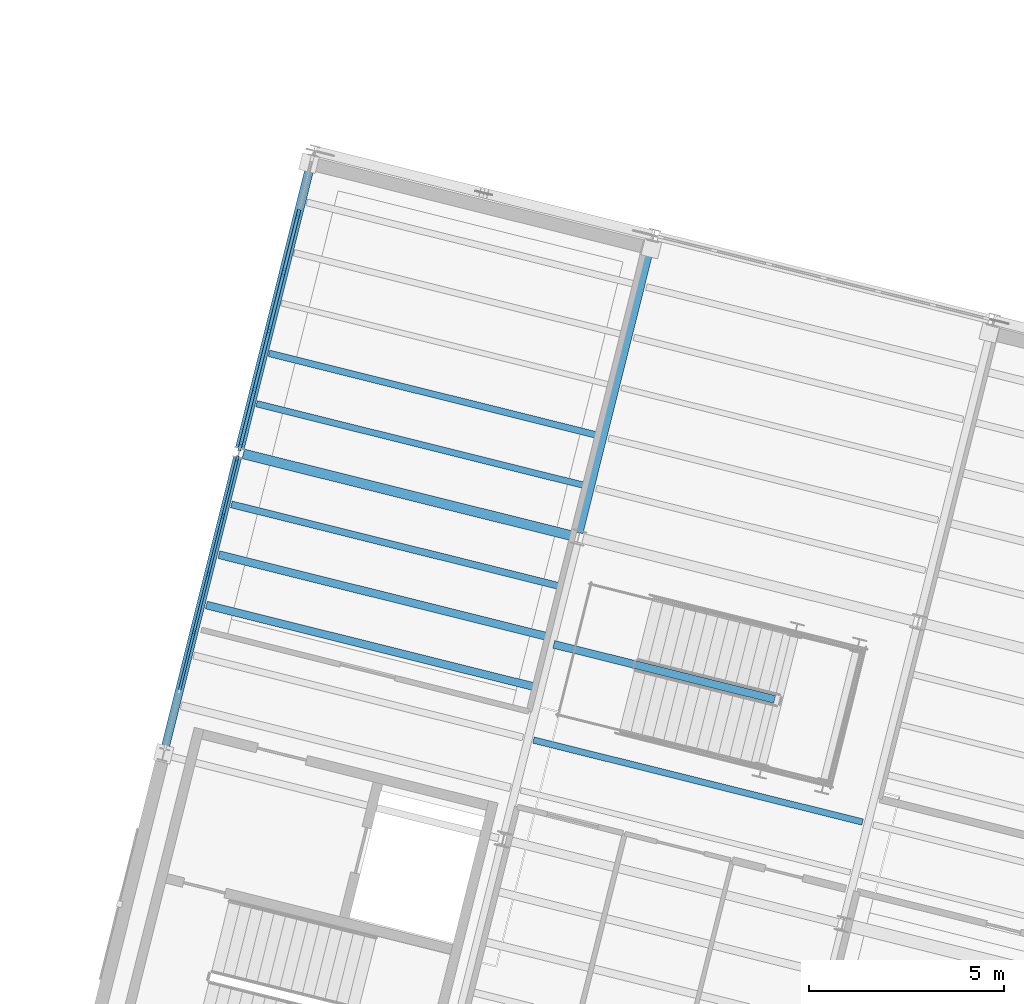
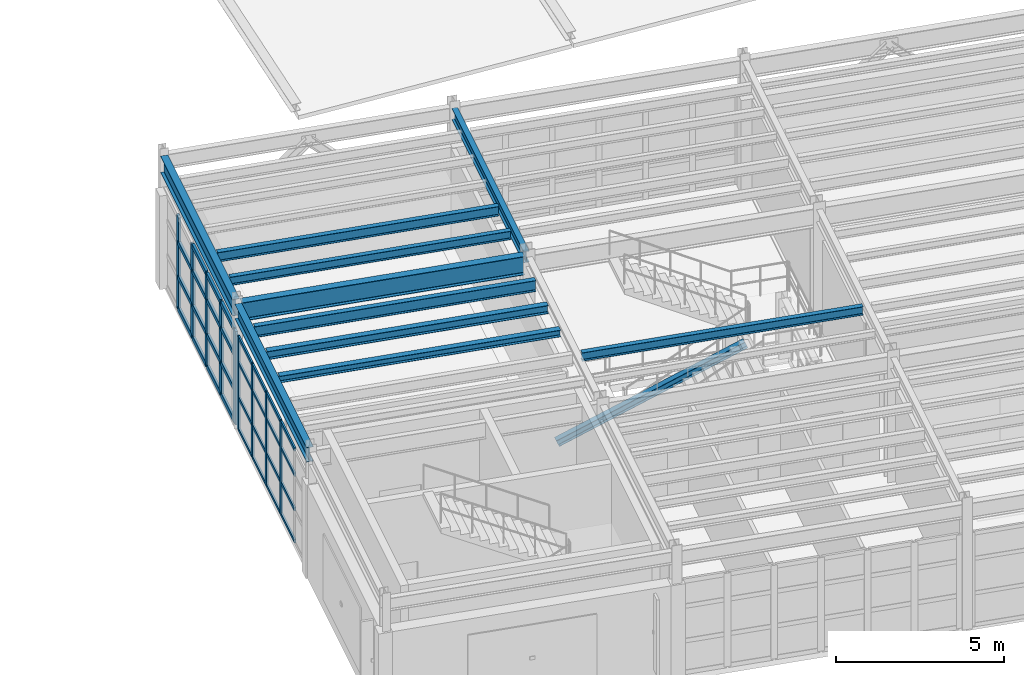
# One storey, part 13 of 59: 41 members, 10 beams, 2 elements without a shape of their own.
"""IFC4 building model written with IfcOpenShell, lengths in metres."""

from ifc_helpers import new_model, si_unit, direction, frame, origin, origin_2d, place, context, subcontext, project, spatial, rectangle, i_section, extrude, material, layer, layer_set, material_profile, profile_set, type_object, element, aggregate, save


model = new_model("IFC4")

# Units and contexts
model_context = context("Model", 3, precision=1e-05, world=origin(), true_north=direction((0.0, 1.0)))
body_context = subcontext(model_context, "Body", "Model", "MODEL_VIEW")
ifc_project = project(units=[si_unit("LENGTHUNIT", "METRE"), si_unit("AREAUNIT", "SQUARE_METRE"), si_unit("VOLUMEUNIT", "CUBIC_METRE"), si_unit("PLANEANGLEUNIT", "RADIAN"), si_unit("MASSUNIT", "GRAM", prefix="KILO")], contexts=[model_context])

# Site, building, storey
site_placement = place(None, origin())
site = spatial("IfcSite", under=ifc_project, at=site_placement, CompositionType="ELEMENT")
building_placement = place(site_placement, origin())
building = spatial("IfcBuilding", under=site, at=building_placement, Name="Vireo Bluff Cable Station", CompositionType="ELEMENT")
storey_placement = place(building_placement, frame((0.0, 0.0, 14.39990234375)))
storey = spatial("IfcBuildingStorey", under=building, at=storey_placement, Name="L03", CompositionType="ELEMENT", Elevation=14.39990234375)

# Beam
ifc_material_1 = material(Name="Steel ASTM A992 Gr. 50", Category="steel")
ifc_material_profile_1 = material_profile(ifc_material_1, i_section(OverallWidth=0.178955078125, OverallDepth=0.408935546875, WebThickness=0.0087890625, FlangeThickness=0.014404296875, FilletRadius=0.010009765625, at=origin_2d()), Name="W16X45")
ifc_profile_set_1 = profile_set([ifc_material_profile_1], Name="Steel ASTM A992 Gr. 50")
beam_type_1 = type_object("IfcBeamType", Name="BM-W16X45", PredefinedType="BEAM", material=ifc_profile_set_1)
beam_1_placement = place(storey_placement, frame((66.63232421875, 51.4638671875, 4.335693359375), z_axis=(0.241935966891, 0.970292217801, 0.0), x_axis=(-0.970292217801, 0.241935966891, 0.0)))
element("IfcBeam", 1, at=beam_1_placement, inside=storey, type_object=beam_type_1, Name="V1 L03 beam 289", PredefinedType="BEAM", context=body_context, shape_type="SweptSolid", body=[
    extrude(i_section(OverallWidth=0.178955078125, OverallDepth=0.408935546875, WebThickness=0.0087890625, FlangeThickness=0.014404296875, FilletRadius=0.010009765625, at=origin_2d()), origin(), (0.0, 0.0, 1.0), 7.760009765625),
])

# Curtain wall, members
ifc_material_2 = material(Name="Anodized Aluminium 6063-T6", Category="aluminium")
ifc_layer_1 = layer(ifc_material_2, 0.179931640625, Name="Anodized Aluminium 6063-T6")
ifc_layer_set_1 = layer_set([ifc_layer_1], Name="Anodized Aluminium 6063-T6")
curtain_wall_type_1 = type_object("IfcCurtainWallType", Name="CW-UNIT-1500", PredefinedType="USERDEFINED", material=ifc_layer_set_1)
curtain_wall_1_placement = place(storey_placement, origin())
curtain_wall_1 = element("IfcCurtainWall", 2, at=curtain_wall_1_placement, inside=storey, type_object=curtain_wall_type_1, Name="V1 L03 west curtain wall CW-022", ObjectType="UNITISED CURTAIN WALL", PredefinedType="USERDEFINED")
ifc_material_profile_2 = material_profile(ifc_material_2, rectangle(XDim=0.06005859375, YDim=0.159912109375, at=origin_2d()), Name="ALU-M-60X160")
ifc_profile_set_2 = profile_set([ifc_material_profile_2], Name="Anodized Aluminium 6063-T6")
member_type_1 = type_object("IfcMemberType", Name="CWM-03", PredefinedType="MULLION", material=ifc_profile_set_2)
member_1_placement = place(storey_placement, frame((56.718994140625, 48.905517578125, 0.0), z_axis=(0.0, 0.0, 1.0), x_axis=(-0.970295715648, 0.241921938225, 0.0)))
member_1 = element("IfcMember", 3, at=member_1_placement, type_object=member_type_1, Name="CW-022 mullion 3", PredefinedType="MULLION", context=body_context, shape_type="SweptSolid", body=[
    extrude(rectangle(XDim=0.06005859375, YDim=0.159912109375, at=origin_2d()), origin(), (0.0, 0.0, 1.0), 3.400146484375),
])
member_2_placement = place(storey_placement, frame((57.092041015625, 50.40185546875, 0.0), z_axis=(0.0, 0.0, 1.0), x_axis=(-0.970295715648, 0.241921938225, 0.0)))
member_2 = element("IfcMember", 4, at=member_2_placement, type_object=member_type_1, Name="CW-022 mullion 4", PredefinedType="MULLION", context=body_context, shape_type="SweptSolid", body=[
    extrude(rectangle(XDim=0.06005859375, YDim=0.159912109375, at=origin_2d()), origin(), (0.0, 0.0, 1.0), 3.400146484375),
])
member_3_placement = place(storey_placement, frame((57.46533203125, 51.8984375, 0.0), z_axis=(0.0, 0.0, 1.0), x_axis=(-0.970295715648, 0.241921938225, 0.0)))
member_3 = element("IfcMember", 5, at=member_3_placement, type_object=member_type_1, Name="CW-022 mullion 5", PredefinedType="MULLION", context=body_context, shape_type="SweptSolid", body=[
    extrude(rectangle(XDim=0.06005859375, YDim=0.159912109375, at=origin_2d()), origin(), (0.0, 0.0, 1.0), 3.400146484375),
])
member_4_placement = place(storey_placement, frame((57.8310546875, 53.36572265625, 0.0), z_axis=(0.0, 0.0, 1.0), x_axis=(-0.970295715648, 0.241921938225, 0.0)))
member_4 = element("IfcMember", 6, at=member_4_placement, type_object=member_type_1, Name="CW-022 mullion 6", PredefinedType="MULLION", context=body_context, shape_type="SweptSolid", body=[
    extrude(rectangle(XDim=0.06005859375, YDim=0.159912109375, at=origin_2d()), origin(), (0.0, 0.0, 1.0), 3.400146484375),
])

ifc_layer_2 = layer(ifc_material_2, 0.179931640625, Name="Anodized Aluminium 6063-T6")
ifc_layer_set_2 = layer_set([ifc_layer_2], Name="Anodized Aluminium 6063-T6")
curtain_wall_type_2 = type_object("IfcCurtainWallType", Name="CW-UNIT-1650", PredefinedType="USERDEFINED", material=ifc_layer_set_2)
curtain_wall_2_placement = place(storey_placement, origin())
curtain_wall_2 = element("IfcCurtainWall", 7, at=curtain_wall_2_placement, inside=storey, type_object=curtain_wall_type_2, Name="V1 L03 west curtain wall CW-023", ObjectType="UNITISED CURTAIN WALL", PredefinedType="USERDEFINED")
ifc_material_profile_3 = material_profile(ifc_material_2, rectangle(XDim=0.080078125, YDim=0.239990234375, at=origin_2d()), Name="ALU-M-80X240")
ifc_profile_set_3 = profile_set([ifc_material_profile_3], Name="Anodized Aluminium 6063-T6")
member_type_2 = type_object("IfcMemberType", Name="CWM-04", PredefinedType="MULLION", material=ifc_profile_set_3)
member_5_placement = place(storey_placement, frame((57.912841796875, 53.693603515625, 0.0), z_axis=(0.0, 0.0, 1.0), x_axis=(-0.970295721712, 0.241921913906, 0.0)))
member_5 = element("IfcMember", 8, at=member_5_placement, type_object=member_type_2, Name="CW-023 mullion 1", PredefinedType="MULLION", context=body_context, shape_type="SweptSolid", body=[
    extrude(rectangle(XDim=0.080078125, YDim=0.239990234375, at=origin_2d()), origin(), (0.0, 0.0, 1.0), 3.400146484375),
])
member_6_placement = place(storey_placement, frame((58.277587890625, 55.156005859375, 0.0), z_axis=(0.0, 0.0, 1.0), x_axis=(-0.970295721712, 0.241921913906, 0.0)))
member_6 = element("IfcMember", 9, at=member_6_placement, type_object=member_type_2, Name="CW-023 mullion 2", PredefinedType="MULLION", context=body_context, shape_type="SweptSolid", body=[
    extrude(rectangle(XDim=0.080078125, YDim=0.239990234375, at=origin_2d()), origin(), (0.0, 0.0, 1.0), 3.400146484375),
])
member_7_placement = place(storey_placement, frame((58.65185546875, 56.6572265625, 0.0), z_axis=(0.0, 0.0, 1.0), x_axis=(-0.970295721712, 0.241921913906, 0.0)))
member_7 = element("IfcMember", 10, at=member_7_placement, type_object=member_type_2, Name="CW-023 mullion 3", PredefinedType="MULLION", context=body_context, shape_type="SweptSolid", body=[
    extrude(rectangle(XDim=0.080078125, YDim=0.239990234375, at=origin_2d()), origin(), (0.0, 0.0, 1.0), 3.400146484375),
])
member_8_placement = place(storey_placement, frame((59.026123046875, 58.158447265625, 0.0), z_axis=(0.0, 0.0, 1.0), x_axis=(-0.970295721712, 0.241921913906, 0.0)))
member_8 = element("IfcMember", 11, at=member_8_placement, type_object=member_type_2, Name="CW-023 mullion 4", PredefinedType="MULLION", context=body_context, shape_type="SweptSolid", body=[
    extrude(rectangle(XDim=0.080078125, YDim=0.239990234375, at=origin_2d()), origin(), (0.0, 0.0, 1.0), 3.400146484375),
])
member_9_placement = place(storey_placement, frame((59.400390625, 59.65966796875, 0.0), z_axis=(0.0, 0.0, 1.0), x_axis=(-0.970295721712, 0.241921913906, 0.0)))
member_9 = element("IfcMember", 12, at=member_9_placement, type_object=member_type_2, Name="CW-023 mullion 5", PredefinedType="MULLION", context=body_context, shape_type="SweptSolid", body=[
    extrude(rectangle(XDim=0.080078125, YDim=0.239990234375, at=origin_2d()), origin(), (0.0, 0.0, 1.0), 3.400146484375),
])

# Member
ifc_material_profile_4 = material_profile(ifc_material_2, rectangle(XDim=0.06005859375, YDim=0.1201171875, at=origin_2d()), Name="ALU-T-60X120")
ifc_profile_set_4 = profile_set([ifc_material_profile_4], Name="Anodized Aluminium 6063-T6")
member_type_3 = type_object("IfcMemberType", Name="CWT-03", PredefinedType="USERDEFINED", material=ifc_profile_set_4)
member_10_placement = place(storey_placement, frame((56.353271484375, 47.438232421875, 0.030029296875), z_axis=(0.241954263439, 0.970287655494, 0.0), x_axis=(-0.970287655494, 0.241954263439, 0.0)))
member_10 = element("IfcMember", 13, at=member_10_placement, type_object=member_type_3, Name="CW-022 transom 2.1", ObjectType="TRANSOM", PredefinedType="USERDEFINED", context=body_context, shape_type="SweptSolid", body=[
    extrude(rectangle(XDim=0.06005859375, YDim=0.1201171875, at=origin_2d()), origin(), (0.0, 0.0, 1.0), 1.482177734375),
])

member_11_placement = place(storey_placement, frame((56.353271484375, 47.438232421875, 1.190185546875), z_axis=(0.241954263439, 0.970287655494, 0.0), x_axis=(-0.970287655494, 0.241954263439, 0.0)))
member_11 = element("IfcMember", 14, at=member_11_placement, type_object=member_type_3, Name="CW-022 transom 2.2", ObjectType="TRANSOM", PredefinedType="USERDEFINED", context=body_context, shape_type="SweptSolid", body=[
    extrude(rectangle(XDim=0.06005859375, YDim=0.1201171875, at=origin_2d()), origin(), (0.0, 0.0, 1.0), 1.482177734375),
])

member_12_placement = place(storey_placement, frame((56.353271484375, 47.438232421875, 2.447998046875), z_axis=(0.241954263439, 0.970287655494, 0.0), x_axis=(-0.970287655494, 0.241954263439, 0.0)))
member_12 = element("IfcMember", 15, at=member_12_placement, type_object=member_type_3, Name="CW-022 transom 2.3", ObjectType="TRANSOM", PredefinedType="USERDEFINED", context=body_context, shape_type="SweptSolid", body=[
    extrude(rectangle(XDim=0.06005859375, YDim=0.1201171875, at=origin_2d()), origin(), (0.0, 0.0, 1.0), 1.482177734375),
])

member_13_placement = place(storey_placement, frame((56.353271484375, 47.438232421875, 3.3701171875), z_axis=(0.241954263439, 0.970287655494, 0.0), x_axis=(-0.970287655494, 0.241954263439, 0.0)))
member_13 = element("IfcMember", 16, at=member_13_placement, type_object=member_type_3, Name="CW-022 transom 2.4", ObjectType="TRANSOM", PredefinedType="USERDEFINED", context=body_context, shape_type="SweptSolid", body=[
    extrude(rectangle(XDim=0.06005859375, YDim=0.1201171875, at=origin_2d()), origin(), (0.0, 0.0, 1.0), 1.482177734375),
])

member_14_placement = place(storey_placement, frame((56.726318359375, 48.9345703125, 0.030029296875), z_axis=(0.241954263439, 0.970287655494, 0.0), x_axis=(-0.970287655494, 0.241954263439, 0.0)))
member_14 = element("IfcMember", 17, at=member_14_placement, type_object=member_type_3, Name="CW-022 transom 3.1", ObjectType="TRANSOM", PredefinedType="USERDEFINED", context=body_context, shape_type="SweptSolid", body=[
    extrude(rectangle(XDim=0.06005859375, YDim=0.1201171875, at=origin_2d()), origin(), (0.0, 0.0, 1.0), 1.482177734375),
])

member_15_placement = place(storey_placement, frame((56.726318359375, 48.9345703125, 1.190185546875), z_axis=(0.241954263439, 0.970287655494, 0.0), x_axis=(-0.970287655494, 0.241954263439, 0.0)))
member_15 = element("IfcMember", 18, at=member_15_placement, type_object=member_type_3, Name="CW-022 transom 3.2", ObjectType="TRANSOM", PredefinedType="USERDEFINED", context=body_context, shape_type="SweptSolid", body=[
    extrude(rectangle(XDim=0.06005859375, YDim=0.1201171875, at=origin_2d()), origin(), (0.0, 0.0, 1.0), 1.482177734375),
])

member_16_placement = place(storey_placement, frame((56.726318359375, 48.9345703125, 2.447998046875), z_axis=(0.241954263439, 0.970287655494, 0.0), x_axis=(-0.970287655494, 0.241954263439, 0.0)))
member_16 = element("IfcMember", 19, at=member_16_placement, type_object=member_type_3, Name="CW-022 transom 3.3", ObjectType="TRANSOM", PredefinedType="USERDEFINED", context=body_context, shape_type="SweptSolid", body=[
    extrude(rectangle(XDim=0.06005859375, YDim=0.1201171875, at=origin_2d()), origin(), (0.0, 0.0, 1.0), 1.482177734375),
])

member_17_placement = place(storey_placement, frame((56.726318359375, 48.9345703125, 3.3701171875), z_axis=(0.241954263439, 0.970287655494, 0.0), x_axis=(-0.970287655494, 0.241954263439, 0.0)))
member_17 = element("IfcMember", 20, at=member_17_placement, type_object=member_type_3, Name="CW-022 transom 3.4", ObjectType="TRANSOM", PredefinedType="USERDEFINED", context=body_context, shape_type="SweptSolid", body=[
    extrude(rectangle(XDim=0.06005859375, YDim=0.1201171875, at=origin_2d()), origin(), (0.0, 0.0, 1.0), 1.482177734375),
])

member_18_placement = place(storey_placement, frame((57.099365234375, 50.43115234375, 0.030029296875), z_axis=(0.241992936854, 0.97027801094, 0.0), x_axis=(-0.97027801094, 0.241992936854, 0.0)))
member_18 = element("IfcMember", 21, at=member_18_placement, type_object=member_type_3, Name="CW-022 transom 4.1", ObjectType="TRANSOM", PredefinedType="USERDEFINED", context=body_context, shape_type="SweptSolid", body=[
    extrude(rectangle(XDim=0.06005859375, YDim=0.1201171875, at=origin_2d()), origin(), (0.0, 0.0, 1.0), 1.48193359375),
])

member_19_placement = place(storey_placement, frame((57.099365234375, 50.43115234375, 1.190185546875), z_axis=(0.241992936854, 0.97027801094, 0.0), x_axis=(-0.97027801094, 0.241992936854, 0.0)))
member_19 = element("IfcMember", 22, at=member_19_placement, type_object=member_type_3, Name="CW-022 transom 4.2", ObjectType="TRANSOM", PredefinedType="USERDEFINED", context=body_context, shape_type="SweptSolid", body=[
    extrude(rectangle(XDim=0.06005859375, YDim=0.1201171875, at=origin_2d()), origin(), (0.0, 0.0, 1.0), 1.48193359375),
])

member_20_placement = place(storey_placement, frame((57.099365234375, 50.43115234375, 2.447998046875), z_axis=(0.241992936854, 0.97027801094, 0.0), x_axis=(-0.97027801094, 0.241992936854, 0.0)))
member_20 = element("IfcMember", 23, at=member_20_placement, type_object=member_type_3, Name="CW-022 transom 4.3", ObjectType="TRANSOM", PredefinedType="USERDEFINED", context=body_context, shape_type="SweptSolid", body=[
    extrude(rectangle(XDim=0.06005859375, YDim=0.1201171875, at=origin_2d()), origin(), (0.0, 0.0, 1.0), 1.48193359375),
])

member_21_placement = place(storey_placement, frame((57.099365234375, 50.43115234375, 3.3701171875), z_axis=(0.241992936854, 0.97027801094, 0.0), x_axis=(-0.97027801094, 0.241992936854, 0.0)))
member_21 = element("IfcMember", 24, at=member_21_placement, type_object=member_type_3, Name="CW-022 transom 4.4", ObjectType="TRANSOM", PredefinedType="USERDEFINED", context=body_context, shape_type="SweptSolid", body=[
    extrude(rectangle(XDim=0.06005859375, YDim=0.1201171875, at=origin_2d()), origin(), (0.0, 0.0, 1.0), 1.48193359375),
])

member_22_placement = place(storey_placement, frame((57.472412109375, 51.927490234375, 0.030029296875), z_axis=(0.241942172057, 0.970290670562, 0.0), x_axis=(-0.970290670562, 0.241942172057, 0.0)))
member_22 = element("IfcMember", 25, at=member_22_placement, type_object=member_type_3, Name="CW-022 transom 5.1", ObjectType="TRANSOM", PredefinedType="USERDEFINED", context=body_context, shape_type="SweptSolid", body=[
    extrude(rectangle(XDim=0.06005859375, YDim=0.1201171875, at=origin_2d()), origin(), (0.0, 0.0, 1.0), 1.4521484375),
])

member_23_placement = place(storey_placement, frame((57.472412109375, 51.927490234375, 1.190185546875), z_axis=(0.241942172057, 0.970290670562, 0.0), x_axis=(-0.970290670562, 0.241942172057, 0.0)))
member_23 = element("IfcMember", 26, at=member_23_placement, type_object=member_type_3, Name="CW-022 transom 5.2", ObjectType="TRANSOM", PredefinedType="USERDEFINED", context=body_context, shape_type="SweptSolid", body=[
    extrude(rectangle(XDim=0.06005859375, YDim=0.1201171875, at=origin_2d()), origin(), (0.0, 0.0, 1.0), 1.4521484375),
])

member_24_placement = place(storey_placement, frame((57.472412109375, 51.927490234375, 2.447998046875), z_axis=(0.241942172057, 0.970290670562, 0.0), x_axis=(-0.970290670562, 0.241942172057, 0.0)))
member_24 = element("IfcMember", 27, at=member_24_placement, type_object=member_type_3, Name="CW-022 transom 5.3", ObjectType="TRANSOM", PredefinedType="USERDEFINED", context=body_context, shape_type="SweptSolid", body=[
    extrude(rectangle(XDim=0.06005859375, YDim=0.1201171875, at=origin_2d()), origin(), (0.0, 0.0, 1.0), 1.4521484375),
])

member_25_placement = place(storey_placement, frame((57.472412109375, 51.927490234375, 3.3701171875), z_axis=(0.241942172057, 0.970290670562, 0.0), x_axis=(-0.970290670562, 0.241942172057, 0.0)))
member_25 = element("IfcMember", 28, at=member_25_placement, type_object=member_type_3, Name="CW-022 transom 5.4", ObjectType="TRANSOM", PredefinedType="USERDEFINED", context=body_context, shape_type="SweptSolid", body=[
    extrude(rectangle(XDim=0.06005859375, YDim=0.1201171875, at=origin_2d()), origin(), (0.0, 0.0, 1.0), 1.4521484375),
])

aggregate(curtain_wall_1, [member_1, member_2, member_3, member_4, member_10, member_11, member_12, member_13, member_14, member_15, member_16, member_17, member_18, member_19, member_20, member_21, member_22, member_23, member_24, member_25])

ifc_material_profile_5 = material_profile(ifc_material_2, rectangle(XDim=0.080078125, YDim=0.175048828125, at=origin_2d()), Name="ALU-T-80X175")
ifc_profile_set_5 = profile_set([ifc_material_profile_5], Name="Anodized Aluminium 6063-T6")
member_type_4 = type_object("IfcMemberType", Name="CWT-04", PredefinedType="USERDEFINED", material=ifc_profile_set_5)
member_26_placement = place(storey_placement, frame((57.922607421875, 53.732421875, 0.0400390625), z_axis=(0.241891547174, 0.970303292484, 0.0), x_axis=(-0.970303292484, 0.241891547174, 0.0)))
member_26 = element("IfcMember", 29, at=member_26_placement, type_object=member_type_4, Name="CW-023 transom 1.1", ObjectType="TRANSOM", PredefinedType="USERDEFINED", context=body_context, shape_type="SweptSolid", body=[
    extrude(rectangle(XDim=0.080078125, YDim=0.175048828125, at=origin_2d()), origin(), (0.0, 0.0, 1.0), 1.42724609375),
])

member_27_placement = place(storey_placement, frame((57.922607421875, 53.732421875, 1.190185546875), z_axis=(0.241891547174, 0.970303292484, 0.0), x_axis=(-0.970303292484, 0.241891547174, 0.0)))
member_27 = element("IfcMember", 30, at=member_27_placement, type_object=member_type_4, Name="CW-023 transom 1.2", ObjectType="TRANSOM", PredefinedType="USERDEFINED", context=body_context, shape_type="SweptSolid", body=[
    extrude(rectangle(XDim=0.080078125, YDim=0.175048828125, at=origin_2d()), origin(), (0.0, 0.0, 1.0), 1.42724609375),
])

member_28_placement = place(storey_placement, frame((57.922607421875, 53.732421875, 2.447998046875), z_axis=(0.241891547174, 0.970303292484, 0.0), x_axis=(-0.970303292484, 0.241891547174, 0.0)))
member_28 = element("IfcMember", 31, at=member_28_placement, type_object=member_type_4, Name="CW-023 transom 1.3", ObjectType="TRANSOM", PredefinedType="USERDEFINED", context=body_context, shape_type="SweptSolid", body=[
    extrude(rectangle(XDim=0.080078125, YDim=0.175048828125, at=origin_2d()), origin(), (0.0, 0.0, 1.0), 1.42724609375),
])

member_29_placement = place(storey_placement, frame((57.922607421875, 53.732421875, 3.360107421875), z_axis=(0.241891547174, 0.970303292484, 0.0), x_axis=(-0.970303292484, 0.241891547174, 0.0)))
member_29 = element("IfcMember", 32, at=member_29_placement, type_object=member_type_4, Name="CW-023 transom 1.4", ObjectType="TRANSOM", PredefinedType="USERDEFINED", context=body_context, shape_type="SweptSolid", body=[
    extrude(rectangle(XDim=0.080078125, YDim=0.175048828125, at=origin_2d()), origin(), (0.0, 0.0, 1.0), 1.42724609375),
])

member_30_placement = place(storey_placement, frame((58.287109375, 55.19482421875, 0.0400390625), z_axis=(0.241948279971, 0.970289147532, 0.0), x_axis=(-0.970289147532, 0.241948279971, 0.0)))
member_30 = element("IfcMember", 33, at=member_30_placement, type_object=member_type_4, Name="CW-023 transom 2.1", ObjectType="TRANSOM", PredefinedType="USERDEFINED", context=body_context, shape_type="SweptSolid", body=[
    extrude(rectangle(XDim=0.080078125, YDim=0.175048828125, at=origin_2d()), origin(), (0.0, 0.0, 1.0), 1.46728515625),
])

member_31_placement = place(storey_placement, frame((58.287109375, 55.19482421875, 1.190185546875), z_axis=(0.241948279971, 0.970289147532, 0.0), x_axis=(-0.970289147532, 0.241948279971, 0.0)))
member_31 = element("IfcMember", 34, at=member_31_placement, type_object=member_type_4, Name="CW-023 transom 2.2", ObjectType="TRANSOM", PredefinedType="USERDEFINED", context=body_context, shape_type="SweptSolid", body=[
    extrude(rectangle(XDim=0.080078125, YDim=0.175048828125, at=origin_2d()), origin(), (0.0, 0.0, 1.0), 1.46728515625),
])

member_32_placement = place(storey_placement, frame((58.287109375, 55.19482421875, 2.447998046875), z_axis=(0.241948279971, 0.970289147532, 0.0), x_axis=(-0.970289147532, 0.241948279971, 0.0)))
member_32 = element("IfcMember", 35, at=member_32_placement, type_object=member_type_4, Name="CW-023 transom 2.3", ObjectType="TRANSOM", PredefinedType="USERDEFINED", context=body_context, shape_type="SweptSolid", body=[
    extrude(rectangle(XDim=0.080078125, YDim=0.175048828125, at=origin_2d()), origin(), (0.0, 0.0, 1.0), 1.46728515625),
])

member_33_placement = place(storey_placement, frame((58.287109375, 55.19482421875, 3.360107421875), z_axis=(0.241948279971, 0.970289147532, 0.0), x_axis=(-0.970289147532, 0.241948279971, 0.0)))
member_33 = element("IfcMember", 36, at=member_33_placement, type_object=member_type_4, Name="CW-023 transom 2.4", ObjectType="TRANSOM", PredefinedType="USERDEFINED", context=body_context, shape_type="SweptSolid", body=[
    extrude(rectangle(XDim=0.080078125, YDim=0.175048828125, at=origin_2d()), origin(), (0.0, 0.0, 1.0), 1.46728515625),
])

member_34_placement = place(storey_placement, frame((58.661376953125, 56.696044921875, 0.0400390625), z_axis=(0.241948279971, 0.970289147532, 0.0), x_axis=(-0.970289147532, 0.241948279971, 0.0)))
member_34 = element("IfcMember", 37, at=member_34_placement, type_object=member_type_4, Name="CW-023 transom 3.1", ObjectType="TRANSOM", PredefinedType="USERDEFINED", context=body_context, shape_type="SweptSolid", body=[
    extrude(rectangle(XDim=0.080078125, YDim=0.175048828125, at=origin_2d()), origin(), (0.0, 0.0, 1.0), 1.46728515625),
])

member_35_placement = place(storey_placement, frame((58.661376953125, 56.696044921875, 1.190185546875), z_axis=(0.241948279971, 0.970289147532, 0.0), x_axis=(-0.970289147532, 0.241948279971, 0.0)))
member_35 = element("IfcMember", 38, at=member_35_placement, type_object=member_type_4, Name="CW-023 transom 3.2", ObjectType="TRANSOM", PredefinedType="USERDEFINED", context=body_context, shape_type="SweptSolid", body=[
    extrude(rectangle(XDim=0.080078125, YDim=0.175048828125, at=origin_2d()), origin(), (0.0, 0.0, 1.0), 1.46728515625),
])

member_36_placement = place(storey_placement, frame((58.661376953125, 56.696044921875, 2.447998046875), z_axis=(0.241948279971, 0.970289147532, 0.0), x_axis=(-0.970289147532, 0.241948279971, 0.0)))
member_36 = element("IfcMember", 39, at=member_36_placement, type_object=member_type_4, Name="CW-023 transom 3.3", ObjectType="TRANSOM", PredefinedType="USERDEFINED", context=body_context, shape_type="SweptSolid", body=[
    extrude(rectangle(XDim=0.080078125, YDim=0.175048828125, at=origin_2d()), origin(), (0.0, 0.0, 1.0), 1.46728515625),
])

member_37_placement = place(storey_placement, frame((58.661376953125, 56.696044921875, 3.360107421875), z_axis=(0.241948279971, 0.970289147532, 0.0), x_axis=(-0.970289147532, 0.241948279971, 0.0)))
member_37 = element("IfcMember", 40, at=member_37_placement, type_object=member_type_4, Name="CW-023 transom 3.4", ObjectType="TRANSOM", PredefinedType="USERDEFINED", context=body_context, shape_type="SweptSolid", body=[
    extrude(rectangle(XDim=0.080078125, YDim=0.175048828125, at=origin_2d()), origin(), (0.0, 0.0, 1.0), 1.46728515625),
])

member_38_placement = place(storey_placement, frame((59.03564453125, 58.197265625, 0.0400390625), z_axis=(0.241948279971, 0.970289147532, 0.0), x_axis=(-0.970289147532, 0.241948279971, 0.0)))
member_38 = element("IfcMember", 41, at=member_38_placement, type_object=member_type_4, Name="CW-023 transom 4.1", ObjectType="TRANSOM", PredefinedType="USERDEFINED", context=body_context, shape_type="SweptSolid", body=[
    extrude(rectangle(XDim=0.080078125, YDim=0.175048828125, at=origin_2d()), origin(), (0.0, 0.0, 1.0), 1.46728515625),
])

member_39_placement = place(storey_placement, frame((59.03564453125, 58.197265625, 1.190185546875), z_axis=(0.241948279971, 0.970289147532, 0.0), x_axis=(-0.970289147532, 0.241948279971, 0.0)))
member_39 = element("IfcMember", 42, at=member_39_placement, type_object=member_type_4, Name="CW-023 transom 4.2", ObjectType="TRANSOM", PredefinedType="USERDEFINED", context=body_context, shape_type="SweptSolid", body=[
    extrude(rectangle(XDim=0.080078125, YDim=0.175048828125, at=origin_2d()), origin(), (0.0, 0.0, 1.0), 1.46728515625),
])

member_40_placement = place(storey_placement, frame((59.03564453125, 58.197265625, 2.447998046875), z_axis=(0.241948279971, 0.970289147532, 0.0), x_axis=(-0.970289147532, 0.241948279971, 0.0)))
member_40 = element("IfcMember", 43, at=member_40_placement, type_object=member_type_4, Name="CW-023 transom 4.3", ObjectType="TRANSOM", PredefinedType="USERDEFINED", context=body_context, shape_type="SweptSolid", body=[
    extrude(rectangle(XDim=0.080078125, YDim=0.175048828125, at=origin_2d()), origin(), (0.0, 0.0, 1.0), 1.46728515625),
])

aggregate(curtain_wall_2, [member_5, member_6, member_7, member_8, member_9, member_26, member_27, member_28, member_29, member_30, member_31, member_32, member_33, member_34, member_35, member_36, member_37, member_38, member_39, member_40])

# Beams
ifc_material_profile_6 = material_profile(ifc_material_1, i_section(OverallWidth=0.2529296875, OverallDepth=0.677978515625, WebThickness=0.01171875, FlangeThickness=0.016357421875, FilletRadius=0.014892578125, at=origin_2d()), Name="W27X84")
ifc_profile_set_6 = profile_set([ifc_material_profile_6], Name="Steel ASTM A992 Gr. 50")
beam_type_2 = type_object("IfcBeamType", Name="GIR-W27X84", PredefinedType="USERDEFINED", material=ifc_profile_set_6)
beam_2_placement = place(storey_placement, frame((57.9873046875, 53.49560546875, 4.201171875), z_axis=(0.970298044881, -0.241912595995, 0.0), x_axis=(0.241912595995, 0.970298044881, 0.0)))
element("IfcBeam", 44, at=beam_2_placement, inside=storey, type_object=beam_type_2, Name="V1 L03 girder 278", ObjectType="GIRDER", PredefinedType="USERDEFINED", context=body_context, shape_type="SweptSolid", body=[
    extrude(i_section(OverallWidth=0.2529296875, OverallDepth=0.677978515625, WebThickness=0.01171875, FlangeThickness=0.016357421875, FilletRadius=0.014892578125, at=origin_2d()), origin(), (0.0, 0.0, 1.0), 8.760009765625),
])
ifc_material_profile_7 = material_profile(ifc_material_1, i_section(OverallWidth=0.201904296875, OverallDepth=0.2470703125, WebThickness=0.00732421875, FlangeThickness=0.010986328125, FilletRadius=0.009033203125, at=origin_2d()), Name="W10X33")
ifc_profile_set_7 = profile_set([ifc_material_profile_7], Name="Steel ASTM A992 Gr. 50")
beam_type_3 = type_object("IfcBeamType", Name="JST-W10X33", PredefinedType="JOIST", material=ifc_profile_set_7)
beam_3_placement = place(storey_placement, frame((57.038818359375, 49.609619140625, 4.41650390625), z_axis=(0.970295467306, -0.24192293427, 0.0), x_axis=(0.24192293427, 0.970295467306, 0.0)))
element("IfcBeam", 45, at=beam_3_placement, inside=storey, type_object=beam_type_3, Name="V1 L03 composite joist 298", PredefinedType="JOIST", context=body_context, shape_type="SweptSolid", body=[
    extrude(i_section(OverallWidth=0.201904296875, OverallDepth=0.2470703125, WebThickness=0.00732421875, FlangeThickness=0.010986328125, FilletRadius=0.009033203125, at=origin_2d()), origin(), (0.0, 0.0, 1.0), 8.72021484375),
])
ifc_material_profile_8 = material_profile(ifc_material_1, i_section(OverallWidth=0.1650390625, OverallDepth=0.31005859375, WebThickness=0.005859375, FlangeThickness=0.009765625, FilletRadius=0.010009765625, at=origin_2d()), Name="W12X26")
ifc_profile_set_8 = profile_set([ifc_material_profile_8], Name="Steel ASTM A992 Gr. 50")
beam_type_4 = type_object("IfcBeamType", Name="JST-W12X26", PredefinedType="JOIST", material=ifc_profile_set_8)
for number, where, z_axis, x_axis, name in (
    (46, (58.3291015625, 54.78466796875, 4.385009765625), (0.970293828661, -0.24192950639, 0.0), (0.24192950639, 0.970293828661, 0.0), "V1 L03 composite joist 301"),
    (47, (65.448974609375, 46.138671875, 4.385009765625), (0.970293828661, -0.24192950639, 0.0), (0.24192950639, 0.970293828661, 0.0), "V1 L03 composite joist 312"),
):
    element("IfcBeam", number, at=place(storey_placement, frame(where, z_axis=z_axis, x_axis=x_axis)), inside=storey, type_object=beam_type_4, Name=name, PredefinedType="JOIST", context=body_context, shape_type="SweptSolid", body=[
        extrude(i_section(OverallWidth=0.1650390625, OverallDepth=0.31005859375, WebThickness=0.005859375, FlangeThickness=0.009765625, FilletRadius=0.010009765625, at=origin_2d()), origin(), (0.0, 0.0, 1.0), 8.719970703125),
    ])
ifc_material_profile_9 = material_profile(ifc_material_1, i_section(OverallWidth=0.202880859375, OverallDepth=0.302978515625, WebThickness=0.007568359375, FlangeThickness=0.01318359375, FilletRadius=0.010009765625, at=origin_2d()), Name="W12X40")
ifc_profile_set_9 = profile_set([ifc_material_profile_9], Name="Steel ASTM A992 Gr. 50")
beam_type_5 = type_object("IfcBeamType", Name="JST-W12X40", PredefinedType="JOIST", material=ifc_profile_set_9)
beam_4_placement = place(storey_placement, frame((57.361572265625, 50.9033203125, 4.388671875), z_axis=(0.970300400641, -0.241903146974, 0.0), x_axis=(0.241903146974, 0.970300400641, 0.0)))
element("IfcBeam", 48, at=beam_4_placement, inside=storey, type_object=beam_type_5, Name="V1 L03 composite joist 299", PredefinedType="JOIST", context=body_context, shape_type="SweptSolid", body=[
    extrude(i_section(OverallWidth=0.202880859375, OverallDepth=0.302978515625, WebThickness=0.007568359375, FlangeThickness=0.01318359375, FilletRadius=0.010009765625, at=origin_2d()), origin(), (0.0, 0.0, 1.0), 8.719970703125),
])
ifc_material_profile_10 = material_profile(ifc_material_1, i_section(OverallWidth=0.1708984375, OverallDepth=0.35107421875, WebThickness=0.0068359375, FlangeThickness=0.009765625, FilletRadius=0.010009765625, at=origin_2d()), Name="W14X30")
ifc_profile_set_10 = profile_set([ifc_material_profile_10], Name="Steel ASTM A992 Gr. 50")
beam_type_6 = type_object("IfcBeamType", Name="JST-W14X30", PredefinedType="JOIST", material=ifc_profile_set_10)
beam_5_placement = place(storey_placement, frame((58.651611328125, 56.078369140625, 4.364501953125), z_axis=(0.970295467306, -0.24192293427, 0.0), x_axis=(0.24192293427, 0.970295467306, 0.0)))
element("IfcBeam", 49, at=beam_5_placement, inside=storey, type_object=beam_type_6, Name="V1 L03 composite joist 302", PredefinedType="JOIST", context=body_context, shape_type="SweptSolid", body=[
    extrude(i_section(OverallWidth=0.1708984375, OverallDepth=0.35107421875, WebThickness=0.0068359375, FlangeThickness=0.009765625, FilletRadius=0.010009765625, at=origin_2d()), origin(), (0.0, 0.0, 1.0), 8.72021484375),
])
ifc_material_profile_11 = material_profile(ifc_material_1, i_section(OverallWidth=0.177978515625, OverallDepth=0.404052734375, WebThickness=0.007568359375, FlangeThickness=0.010986328125, FilletRadius=0.010009765625, at=origin_2d()), Name="W16X36")
ifc_profile_set_11 = profile_set([ifc_material_profile_11], Name="Steel ASTM A992 Gr. 50")
beam_type_7 = type_object("IfcBeamType", Name="JST-W16X36", PredefinedType="JOIST", material=ifc_profile_set_11)
beam_6_placement = place(storey_placement, frame((57.68408203125, 52.197021484375, 4.338134765625), z_axis=(0.970300400641, -0.241903146974, 0.0), x_axis=(0.241903146974, 0.970300400641, 0.0)))
element("IfcBeam", 50, at=beam_6_placement, inside=storey, type_object=beam_type_7, Name="V1 L03 composite joist 300", PredefinedType="JOIST", context=body_context, shape_type="SweptSolid", body=[
    extrude(i_section(OverallWidth=0.177978515625, OverallDepth=0.404052734375, WebThickness=0.007568359375, FlangeThickness=0.010986328125, FilletRadius=0.010009765625, at=origin_2d()), origin(), (0.0, 0.0, 1.0), 8.719970703125),
])
ifc_material_profile_12 = material_profile(ifc_material_1, i_section(OverallWidth=0.2099609375, OverallDepth=0.535888671875, WebThickness=0.010986328125, FlangeThickness=0.017333984375, FilletRadius=0.012939453125, at=origin_2d()), Name="W21X68")
ifc_profile_set_12 = profile_set([ifc_material_profile_12], Name="Steel ASTM A992 Gr. 50")
beam_type_8 = type_object("IfcBeamType", Name="SPN-W21X68", PredefinedType="SPANDREL", material=ifc_profile_set_12)
beam_7_placement = place(storey_placement, frame((55.96435546875, 45.87890625, 4.272216796875), z_axis=(0.241943352562, 0.970290376203, 0.0), x_axis=(-0.970290376203, 0.241943352562, 0.0)))
element("IfcBeam", 51, at=beam_7_placement, inside=storey, type_object=beam_type_8, Name="V1 L03 spandrel 285", PredefinedType="SPANDREL", context=body_context, shape_type="SweptSolid", body=[
    extrude(i_section(OverallWidth=0.2099609375, OverallDepth=0.535888671875, WebThickness=0.010986328125, FlangeThickness=0.017333984375, FilletRadius=0.012939453125, at=origin_2d()), origin(), (0.0, 0.0, 1.0), 7.759765625),
])
ifc_material_profile_13 = material_profile(ifc_material_1, i_section(OverallWidth=0.22802734375, OverallDepth=0.60693359375, WebThickness=0.01123046875, FlangeThickness=0.017333984375, FilletRadius=0.012939453125, at=origin_2d()), Name="W24X76")
ifc_profile_set_13 = profile_set([ifc_material_profile_13], Name="Steel ASTM A992 Gr. 50")
beam_type_9 = type_object("IfcBeamType", Name="SPN-W24X76", PredefinedType="SPANDREL", material=ifc_profile_set_13)
beam_8_placement = place(storey_placement, frame((57.89990234375, 53.64111328125, 4.236572265625), z_axis=(0.241906346953, 0.970299602857, 0.0), x_axis=(-0.970299602857, 0.241906346953, 0.0)))
element("IfcBeam", 52, at=beam_8_placement, inside=storey, type_object=beam_type_9, Name="V1 L03 spandrel 286", PredefinedType="SPANDREL", context=body_context, shape_type="SweptSolid", body=[
    extrude(i_section(OverallWidth=0.22802734375, OverallDepth=0.60693359375, WebThickness=0.01123046875, FlangeThickness=0.017333984375, FilletRadius=0.012939453125, at=origin_2d()), origin(), (0.0, 0.0, 1.0), 7.760009765625),
])

# Member
ifc_material_profile_14 = material_profile(ifc_material_1, i_section(OverallWidth=0.201904296875, OverallDepth=0.2470703125, WebThickness=0.00732421875, FlangeThickness=0.010986328125, FilletRadius=0.009033203125, at=origin_2d()), Name="W10X33")
ifc_profile_set_14 = profile_set([ifc_material_profile_14], Name="Steel ASTM A992 Gr. 50")
member_type_5 = type_object("IfcMemberType", Name="STRINGER-01", PredefinedType="STRINGER", material=ifc_profile_set_14)
member_41_placement = place(storey_placement, frame((66.018310546875, 48.5869140625, -0.43994140625), z_axis=(0.894153271347, -0.222913345121, 0.38832920043), x_axis=(0.241897269349, 0.970301865958, 0.0)))
element("IfcMember", 53, at=member_41_placement, inside=storey, type_object=member_type_5, Name="ST-10 L03 steel stair stringer", PredefinedType="STRINGER", context=body_context, shape_type="SweptSolid", body=[
    extrude(i_section(OverallWidth=0.201904296875, OverallDepth=0.2470703125, WebThickness=0.00732421875, FlangeThickness=0.010986328125, FilletRadius=0.009033203125, at=origin_2d()), origin(), (0.0, 0.0, 1.0), 6.347900390625),
])

save(model, "model.ifc")
